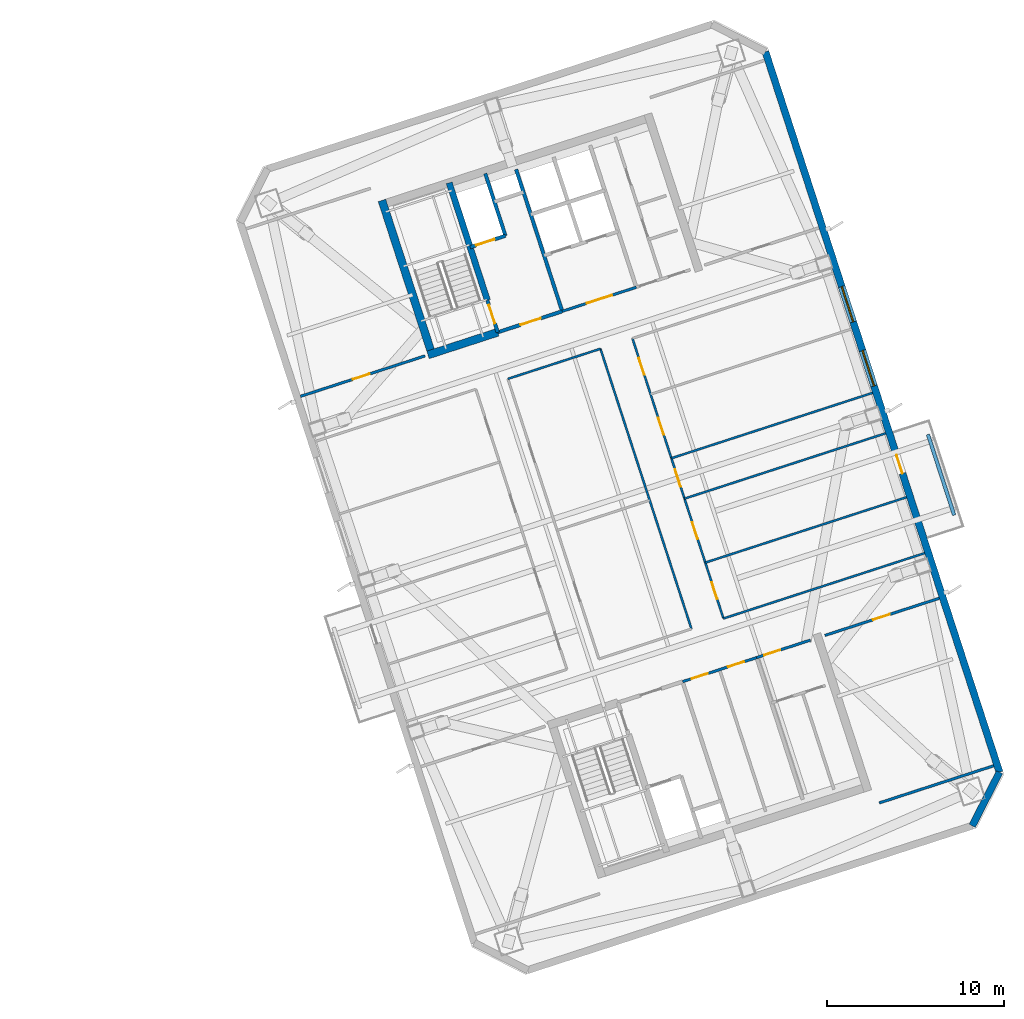
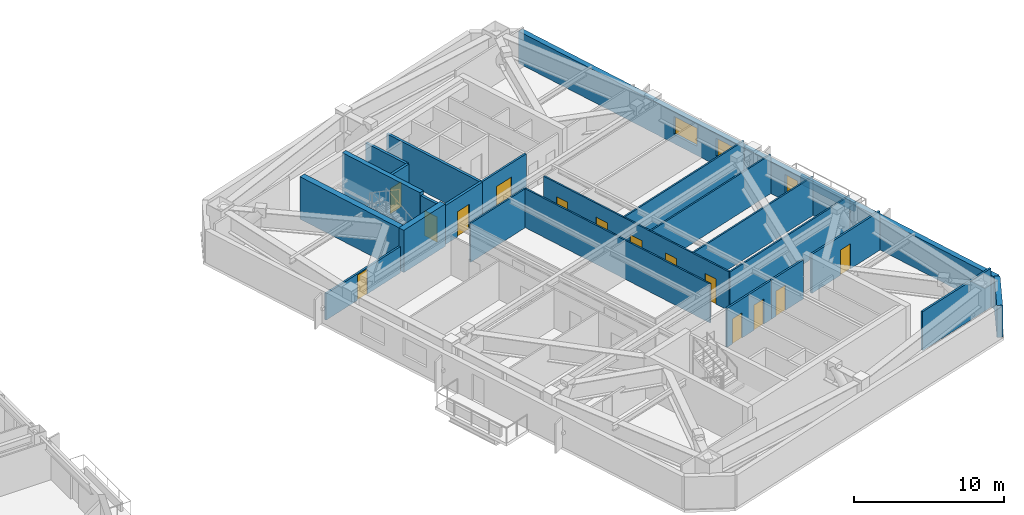
# One storey, part 10 of 18: 24 walls, 15 doors, 2 windows, 17 openings.
"""IFC4 building model written with IfcOpenShell, lengths in metres."""

from ifc_helpers import new_model, si_unit, direction, frame, frame_2d, origin, place, context, subcontext, project, spatial, rectangle, extrude, material, layer, layer_set, type_object, element, fill, save


model = new_model("IFC4")

# Units and contexts
model_context = context("Model", 3, precision=1e-05, world=origin(), true_north=direction((0.0, 1.0)))
body_context = subcontext(model_context, "Body", "Model", "MODEL_VIEW")
ifc_project = project(units=[si_unit("LENGTHUNIT", "METRE"), si_unit("AREAUNIT", "SQUARE_METRE"), si_unit("VOLUMEUNIT", "CUBIC_METRE"), si_unit("PLANEANGLEUNIT", "RADIAN"), si_unit("MASSUNIT", "GRAM", prefix="KILO")], contexts=[model_context])

# Site, building, storey
site_placement = place(None, origin())
site = spatial("IfcSite", under=ifc_project, at=site_placement, CompositionType="ELEMENT")
building_placement = place(site_placement, origin())
building = spatial("IfcBuilding", under=site, at=building_placement, Name="Qiaolan Cultural Towers", CompositionType="ELEMENT")
storey_placement = place(building_placement, frame((0.0, 0.0, 195.5)))
storey = spatial("IfcBuildingStorey", under=building, at=storey_placement, Name="L52", CompositionType="ELEMENT", Elevation=195.5)

# Walls
ifc_material_1 = material(Name="Concrete C50", Category="concrete")
ifc_layer_1 = layer(ifc_material_1, 0.35009765625)
ifc_layer_set_1 = layer_set([ifc_layer_1], Name="Concrete C50")
wall_type_1 = type_object("IfcWallType", Name="WL-CORE-350", PredefinedType="SHEAR", material=ifc_layer_set_1)
wall_1_placement = place(storey_placement, frame((82.513671875, 45.13134765625, 0.0), z_axis=(0.0, 0.0, 1.0), x_axis=(-0.308988790936, 0.951065679686, 0.0)))
element("IfcWall", 1, at=wall_1_placement, inside=storey, type_object=wall_type_1, Name="L52 T2-CN Stair Core Dividing Web", PredefinedType="SHEAR", context=body_context, shape_type="SweptSolid", body=[
    extrude(rectangle(XDim=6.97998046875, YDim=0.35009765625, at=frame_2d((3.489990234375, 0.0))), origin(), (0.0, 0.0, 1.0), 3.449951171875),
])
ifc_material_2 = material(Name="Concrete C50", Category="concrete")
ifc_layer_2 = layer(ifc_material_2, 0.449951171875)
ifc_layer_set_2 = layer_set([ifc_layer_2], Name="Concrete C50")
wall_type_2 = type_object("IfcWallType", Name="WL-CORE-450", PredefinedType="SHEAR", material=ifc_layer_set_2)
wall_2_placement = place(storey_placement, frame((79.4423828125, 41.899169921875, 0.0), z_axis=(0.0, 0.0, 1.0), x_axis=(-0.309035778627, 0.951050412717, 0.0)))
element("IfcWall", 2, at=wall_2_placement, inside=storey, type_object=wall_type_2, Name="L52 T2-CN West Core Shear Wall", PredefinedType="SHEAR", context=body_context, shape_type="SweptSolid", body=[
    extrude(rectangle(XDim=9.330078125, YDim=0.449951171875, at=frame_2d((4.6650390625, 0.0))), origin(), (0.0, 0.0, 1.0), 3.449951171875),
])
wall_3_placement = place(storey_placement, frame((79.15869140625, 42.04345703125, 0.0), z_axis=(0.0, 0.0, 1.0), x_axis=(0.951047485828, 0.309044785913, 0.0)))
element("IfcWall", 3, at=wall_3_placement, inside=storey, type_object=wall_type_2, Name="L52 T2-CN Stair Front Shear Wall", PredefinedType="SHEAR", context=body_context, shape_type="SweptSolid", body=[
    extrude(rectangle(XDim=4.14501953125, YDim=0.449951171875, at=frame_2d((2.072509765625, 0.0))), origin(), (0.0, 0.0, 1.0), 3.449951171875),
])

# Wall, openings, door, windows
ifc_material_3 = material(Name="Precast Concrete C50 Honed Stone Pier", Category="masonry")
ifc_layer_3 = layer(ifc_material_3, 0.39990234375)
ifc_layer_set_3 = layer_set([ifc_layer_3], Name="Precast Concrete C50 Honed Stone Pier")
wall_type_3 = type_object("IfcWallType", Name="WL-EXT-PIER-400", PredefinedType="SOLIDWALL", material=ifc_layer_set_3)
wall_4_placement = place(storey_placement, frame((98.2236328125, 59.17333984375, 0.0), z_axis=(0.0, 0.0, 1.0), x_axis=(0.309014228706, -0.951057414911, 0.0)))
wall_4 = element("IfcWall", 4, at=wall_4_placement, inside=storey, type_object=wall_type_3, Name="L52 East Tower Precast Pier Facade Wall F5", PredefinedType="SOLIDWALL", context=body_context, shape_type="SweptSolid", body=[
    extrude(rectangle(XDim=42.800048828125, YDim=0.39990234375, at=frame_2d((21.39990234375, 0.0))), origin(), (0.0, 0.0, 1.0), 2.610107421875),
])
opening_1_placement = place(wall_4_placement, frame((17.75, 0.0, 0.75)))
opening_1 = element("IfcOpeningElement", 5, at=opening_1_placement, cuts=wall_4, Name="Opening W-05", PredefinedType="OPENING", context=body_context, shape_type="SweptSolid", body=[
    extrude(rectangle(XDim=2.10009765625, YDim=1.4599609375, at=frame_2d((1.050048828125, 0.72998046875))), frame((0.0, 0.2099609375, 0.0), z_axis=(0.0, -1.0, 0.0), x_axis=(1.0, 0.0, 0.0)), (0.0, 0.0, 1.0), 0.419921875),
])
opening_2_placement = place(wall_4_placement, frame((13.949951171875, 0.0, 0.75)))
opening_2 = element("IfcOpeningElement", 6, at=opening_2_placement, cuts=wall_4, Name="Opening W-05", PredefinedType="OPENING", context=body_context, shape_type="SweptSolid", body=[
    extrude(rectangle(XDim=2.10009765625, YDim=1.4599609375, at=frame_2d((1.050048828125, 0.72998046875))), frame((0.0, 0.2099609375, 0.0), z_axis=(0.0, -1.0, 0.0), x_axis=(1.0, 0.0, 0.0)), (0.0, 0.0, 1.0), 0.419921875),
])
opening_3_placement = place(wall_4_placement, frame((23.949951171875, 0.0, 0.0)))
opening_3 = element("IfcOpeningElement", 7, at=opening_3_placement, cuts=wall_4, Name="Opening BD-01", PredefinedType="OPENING", context=body_context, shape_type="SweptSolid", body=[
    extrude(rectangle(XDim=1.10009765625, YDim=2.14990234375, at=frame_2d((0.550048828125, 1.074951171875))), frame((0.0, 0.2099609375, 0.0), z_axis=(0.0, -1.0, 0.0), x_axis=(1.0, 0.0, 0.0)), (0.0, 0.0, 1.0), 0.419921875),
])
ifc_material_4 = material(Name="Thermally Broken Aluminium Glazed Terrace Door", Category="aluminium")
door_type_1 = type_object("IfcDoorType", Name="DR-BAL-1100", OperationType="NOTDEFINED", PredefinedType="DOOR", material=ifc_material_4)
door_1_placement = place(opening_3_placement, origin())
door_1 = element("IfcDoor", 8, at=door_1_placement, inside=storey, type_object=door_type_1, Name="L52 T2 East Tree Balcony Door", OperationType="SINGLE_SWING_RIGHT", OverallHeight=2.14990234375, OverallWidth=1.10009765625, PredefinedType="DOOR", context=body_context, shape_type="SweptSolid", body=[
    extrude(rectangle(XDim=1.10009765625, YDim=2.14990234375, at=frame_2d((0.550048828125, 1.074951171875))), frame((0.0, 0.02490234375, 0.0), z_axis=(0.0, -1.0, 0.0), x_axis=(1.0, 0.0, 0.0)), (0.0, 0.0, 1.0), 0.050048828125),
])
fill(opening_3, door_1)
ifc_material_5 = material(Name="Thermally Broken Aluminium Triple Low-E Glazing", Category="aluminium")
window_type = type_object("IfcWindowType", Name="WN-CHIC-2100", PartitioningType="SINGLE_PANEL", PredefinedType="WINDOW", material=ifc_material_5)
window_1_placement = place(opening_1_placement, origin())
window_1 = element("IfcWindow", 9, at=window_1_placement, inside=storey, type_object=window_type, Name="L52 T2 E Chicago Bay Window 1", OverallHeight=1.4599609375, OverallWidth=2.10009765625, PartitioningType="TRIPLE_PANEL_VERTICAL", PredefinedType="WINDOW", context=body_context, shape_type="SweptSolid", body=[
    extrude(rectangle(XDim=2.10009765625, YDim=1.4599609375, at=frame_2d((1.050048828125, 0.72998046875))), frame((0.0, 0.030029296875, 0.0), z_axis=(0.0, -1.0, 0.0), x_axis=(1.0, 0.0, 0.0)), (0.0, 0.0, 1.0), 0.06005859375),
])
fill(opening_1, window_1)
window_2_placement = place(opening_2_placement, origin())
window_2 = element("IfcWindow", 10, at=window_2_placement, inside=storey, type_object=window_type, Name="L52 T2 E Chicago Bay Window 2", OverallHeight=1.4599609375, OverallWidth=2.10009765625, PartitioningType="TRIPLE_PANEL_VERTICAL", PredefinedType="WINDOW", context=body_context, shape_type="SweptSolid", body=[
    extrude(rectangle(XDim=2.10009765625, YDim=1.4599609375, at=frame_2d((1.050048828125, 0.72998046875))), frame((0.0, 0.030029296875, 0.0), z_axis=(0.0, -1.0, 0.0), x_axis=(1.0, 0.0, 0.0)), (0.0, 0.0, 1.0), 0.06005859375),
])
fill(opening_2, window_2)

# Wall
wall_5_placement = place(storey_placement, frame((111.449462890625, 18.468017578125, 0.0), z_axis=(0.0, 0.0, 1.0), x_axis=(-0.454019523198, -0.890991735402, 0.0)))
element("IfcWall", 11, at=wall_5_placement, inside=storey, type_object=wall_type_3, Name="L52 East Tower Precast Pier Facade Wall F6", PredefinedType="SOLIDWALL", context=body_context, shape_type="SweptSolid", body=[
    extrude(rectangle(XDim=3.39404296875, YDim=0.39990234375, at=frame_2d((1.697021484375, 0.0))), origin(), (0.0, 0.0, 1.0), 2.610107421875),
])

# Wall, opening, door
ifc_material_6 = material(Name="Concrete C35 Fire Wall", Category="concrete")
ifc_layer_4 = layer(ifc_material_6, 0.199951171875)
ifc_layer_set_4 = layer_set([ifc_layer_4], Name="Concrete C35 Fire Wall")
wall_type_4 = type_object("IfcWallType", Name="WL-FIRE-200", PredefinedType="PARTITIONING", material=ifc_layer_set_4)
wall_6_placement = place(storey_placement, frame((83.100830078125, 43.324462890625, 0.0), z_axis=(0.0, 0.0, 1.0), x_axis=(-0.309048298632, 0.951046344356, 0.0)))
wall_6 = element("IfcWall", 12, at=wall_6_placement, inside=storey, type_object=wall_type_4, Name="L52 T2-CN Smokeproof Stair Entry Wall", PredefinedType="PARTITIONING", context=body_context, shape_type="SweptSolid", body=[
    extrude(rectangle(XDim=1.89990234375, YDim=0.199951171875, at=frame_2d((0.949951171875, 0.0))), origin(), (0.0, 0.0, 1.0), 3.175048828125),
])
opening_4_placement = place(wall_6_placement, frame((0.52001953125, 0.0, 0.0)))
opening_4 = element("IfcOpeningElement", 13, at=opening_4_placement, cuts=wall_6, Name="Opening FD-04", PredefinedType="OPENING", context=body_context, shape_type="SweptSolid", body=[
    extrude(rectangle(XDim=1.10009765625, YDim=2.050048828125, at=frame_2d((0.550048828125, 1.02490234375))), frame((0.0, 0.10986328125, 0.0), z_axis=(0.0, -1.0, 0.0), x_axis=(1.0, 0.0, 0.0)), (0.0, 0.0, 1.0), 0.219970703125),
])
ifc_material_7 = material(Name="Galvanized Steel Command Fire Door", Category="steel")
door_type_2 = type_object("IfcDoorType", Name="DR-FD90-1100", OperationType="NOTDEFINED", PredefinedType="DOOR", material=ifc_material_7)
door_2_placement = place(opening_4_placement, origin())
door_2 = element("IfcDoor", 14, at=door_2_placement, inside=storey, type_object=door_type_2, Name="L52 ST-E2 Smokeproof Stair Fire Door", OperationType="SINGLE_SWING_LEFT", OverallHeight=2.050048828125, OverallWidth=1.10009765625, PredefinedType="DOOR", context=body_context, shape_type="SweptSolid", body=[
    extrude(rectangle(XDim=1.10009765625, YDim=2.050048828125, at=frame_2d((0.550048828125, 1.02490234375))), frame((0.0, 0.02490234375, 0.0), z_axis=(0.0, -1.0, 0.0), x_axis=(1.0, 0.0, 0.0)), (0.0, 0.0, 1.0), 0.050048828125),
])
fill(opening_4, door_2)

# Wall
wall_7_placement = place(storey_placement, frame((86.743408203125, 44.508056640625, 0.0), z_axis=(0.0, 0.0, 1.0), x_axis=(-0.309016001439, 0.951056838919, 0.0)))
element("IfcWall", 15, at=wall_7_placement, inside=storey, type_object=wall_type_4, Name="L52 T2-CN Firefighting Zone Wall", PredefinedType="PARTITIONING", context=body_context, shape_type="SweptSolid", body=[
    extrude(rectangle(XDim=8.429931640625, YDim=0.199951171875, at=frame_2d((4.21484375, 0.0))), origin(), (0.0, 0.0, 1.0), 3.175048828125),
])

# Wall, opening, door
wall_8_placement = place(storey_placement, frame((83.100830078125, 43.324462890625, 0.0), z_axis=(0.0, 0.0, 1.0), x_axis=(0.951052804469, 0.309028417967, 0.0)))
wall_8 = element("IfcWall", 16, at=wall_8_placement, inside=storey, type_object=wall_type_4, Name="L52 T2-CN Firefighting Lobby Front Wall", PredefinedType="PARTITIONING", context=body_context, shape_type="SweptSolid", body=[
    extrude(rectangle(XDim=3.830078125, YDim=0.199951171875, at=frame_2d((1.9150390625, 0.0))), origin(), (0.0, 0.0, 1.0), 3.175048828125),
])
opening_5_placement = place(wall_8_placement, frame((1.35009765625, 0.0, 0.0)))
opening_5 = element("IfcOpeningElement", 17, at=opening_5_placement, cuts=wall_8, Name="Opening FD-03", PredefinedType="OPENING", context=body_context, shape_type="SweptSolid", body=[
    extrude(rectangle(XDim=1.199951171875, YDim=2.050048828125, at=frame_2d((0.60009765625, 1.02490234375))), frame((0.0, 0.10986328125, 0.0), z_axis=(0.0, -1.0, 0.0), x_axis=(1.0, 0.0, 0.0)), (0.0, 0.0, 1.0), 0.219970703125),
])
ifc_material_8 = material(Name="Galvanized Steel Smokeproof Lobby Fire Door", Category="steel")
door_type_3 = type_object("IfcDoorType", Name="DR-FD90-1200", OperationType="NOTDEFINED", PredefinedType="DOOR", material=ifc_material_8)
door_3_placement = place(opening_5_placement, origin())
door_3 = element("IfcDoor", 18, at=door_3_placement, inside=storey, type_object=door_type_3, Name="L52 FFL-E2 Firefighting Lobby Fire Door", OperationType="SINGLE_SWING_LEFT", OverallHeight=2.050048828125, OverallWidth=1.199951171875, PredefinedType="DOOR", context=body_context, shape_type="SweptSolid", body=[
    extrude(rectangle(XDim=1.199951171875, YDim=2.050048828125, at=frame_2d((0.60009765625, 1.02490234375))), frame((0.0, 0.02490234375, 0.0), z_axis=(0.0, -1.0, 0.0), x_axis=(1.0, 0.0, 0.0)), (0.0, 0.0, 1.0), 0.050048828125),
])
fill(opening_5, door_3)

wall_9_placement = place(storey_placement, frame((81.540283203125, 48.127197265625, 0.0), z_axis=(0.0, 0.0, 1.0), x_axis=(0.951062257173, 0.308999325213, 0.0)))
wall_9 = element("IfcWall", 19, at=wall_9_placement, inside=storey, type_object=wall_type_4, Name="L52 T2-CN Firefighting Shaft Front Wall", PredefinedType="PARTITIONING", context=body_context, shape_type="SweptSolid", body=[
    extrude(rectangle(XDim=2.10009765625, YDim=0.199951171875, at=frame_2d((1.050048828125, 0.0))), origin(), (0.0, 0.0, 1.0), 3.175048828125),
])
opening_6_placement = place(wall_9_placement, frame((0.35009765625, 0.0, 0.0)))
opening_6 = element("IfcOpeningElement", 20, at=opening_6_placement, cuts=wall_9, Name="Opening LD-01", PredefinedType="OPENING", context=body_context, shape_type="SweptSolid", body=[
    extrude(rectangle(XDim=1.10009765625, YDim=2.050048828125, at=frame_2d((0.550048828125, 1.02490234375))), frame((0.0, 0.10986328125, 0.0), z_axis=(0.0, -1.0, 0.0), x_axis=(1.0, 0.0, 0.0)), (0.0, 0.0, 1.0), 0.219970703125),
])
ifc_material_9 = material(Name="Brushed Stainless Steel S30408 Centre-Parting Lift Landing Door", Category="steel")
door_type_4 = type_object("IfcDoorType", Name="DR-LIFT-1100", OperationType="NOTDEFINED", PredefinedType="DOOR", material=ifc_material_9)
door_4_placement = place(opening_6_placement, origin())
door_4 = element("IfcDoor", 21, at=door_4_placement, inside=storey, type_object=door_type_4, Name="L52 FFL-E2 Firefighting Lift Landing Door", OperationType="DOUBLE_DOOR_SLIDING", OverallHeight=2.050048828125, OverallWidth=1.10009765625, PredefinedType="DOOR", context=body_context, shape_type="SweptSolid", body=[
    extrude(rectangle(XDim=1.10009765625, YDim=2.050048828125, at=frame_2d((0.550048828125, 1.02490234375))), frame((0.0, 0.02490234375, 0.0), z_axis=(0.0, -1.0, 0.0), x_axis=(1.0, 0.0, 0.0)), (0.0, 0.0, 1.0), 0.050048828125),
])
fill(opening_6, door_4)

# Walls
wall_10_placement = place(storey_placement, frame((83.53759765625, 48.776123046875, 0.0), z_axis=(0.0, 0.0, 1.0), x_axis=(-0.3089935693, 0.951064127245, 0.0)))
element("IfcWall", 22, at=wall_10_placement, inside=storey, type_object=wall_type_4, Name="L52 T2-CN Firefighting Hoistway East Wall", PredefinedType="PARTITIONING", context=body_context, shape_type="SweptSolid", body=[
    extrude(rectangle(XDim=3.7001953125, YDim=0.199951171875, at=frame_2d((1.85009765625, 0.0))), origin(), (0.0, 0.0, 1.0), 3.175048828125),
])
ifc_material_10 = material(Name="Gypsum Stud Acoustic Partition", Category="gypsum")
ifc_layer_5 = layer(ifc_material_10, 0.1201171875)
ifc_layer_set_5 = layer_set([ifc_layer_5], Name="Gypsum Stud Acoustic Partition")
wall_type_5 = type_object("IfcWallType", Name="WL-PART-120", PredefinedType="PARTITIONING", material=ifc_layer_set_5)
wall_11_placement = place(storey_placement, frame((95.85205078125, 27.1533203125, 0.0), z_axis=(0.0, 0.0, 1.0), x_axis=(0.951054485045, 0.30902324585, 0.0)))
element("IfcWall", 23, at=wall_11_placement, inside=storey, type_object=wall_type_5, Name="L52 T2 Interior Wall", PredefinedType="PARTITIONING", context=body_context, shape_type="SweptSolid", body=[
    extrude(rectangle(XDim=11.9501953125, YDim=0.1201171875, at=frame_2d((5.97509765625, 0.0))), origin(), (0.0, 0.0, 1.0), 3.175048828125),
])
wall_12_placement = place(storey_placement, frame((83.67236328125, 40.692138671875, 0.0), z_axis=(0.0, 0.0, 1.0), x_axis=(0.951048747115, 0.30904090443, 0.0)))
element("IfcWall", 24, at=wall_12_placement, inside=storey, type_object=wall_type_5, Name="L52 T2 Interior Wall", PredefinedType="PARTITIONING", context=body_context, shape_type="SweptSolid", body=[
    extrude(rectangle(XDim=5.5, YDim=0.1201171875, at=frame_2d((2.75, 0.0))), origin(), (0.0, 0.0, 1.0), 3.175048828125),
])
wall_13_placement = place(storey_placement, frame((94.045166015625, 26.566162109375, 0.0), z_axis=(0.0, 0.0, 1.0), x_axis=(-0.30901773025, 0.951056277195, 0.0)))
element("IfcWall", 25, at=wall_13_placement, inside=storey, type_object=wall_type_5, Name="L52 T2 Interior Wall", PredefinedType="PARTITIONING", context=body_context, shape_type="SweptSolid", body=[
    extrude(rectangle(XDim=16.64013671875, YDim=0.1201171875, at=frame_2d((8.320068359375, 0.0))), origin(), (0.0, 0.0, 1.0), 3.175048828125),
])

# Wall, openings, doors
wall_14_placement = place(storey_placement, frame((95.85205078125, 27.1533203125, 0.0), z_axis=(0.0, 0.0, 1.0), x_axis=(-0.309004459387, 0.951060589068, 0.0)))
wall_14 = element("IfcWall", 26, at=wall_14_placement, inside=storey, type_object=wall_type_5, Name="L52 T2 Interior Wall", PredefinedType="PARTITIONING", context=body_context, shape_type="SweptSolid", body=[
    extrude(rectangle(XDim=16.64013671875, YDim=0.1201171875, at=frame_2d((8.320068359375, 0.0))), origin(), (0.0, 0.0, 1.0), 3.175048828125),
])
opening_7_placement = place(wall_14_placement, frame((1.159912109375, 0.0, 0.0)))
opening_7 = element("IfcOpeningElement", 27, at=opening_7_placement, cuts=wall_14, Name="Opening ID-04", PredefinedType="OPENING", context=body_context, shape_type="SweptSolid", body=[
    extrude(rectangle(XDim=1.0, YDim=2.050048828125, at=frame_2d((0.5, 1.02490234375))), frame((0.0, 0.070068359375, 0.0), z_axis=(0.0, -1.0, 0.0), x_axis=(1.0, 0.0, 0.0)), (0.0, 0.0, 1.0), 0.14013671875),
])
opening_8_placement = place(wall_14_placement, frame((4.719970703125, 0.0, 0.0)))
opening_8 = element("IfcOpeningElement", 28, at=opening_8_placement, cuts=wall_14, Name="Opening ID-04", PredefinedType="OPENING", context=body_context, shape_type="SweptSolid", body=[
    extrude(rectangle(XDim=1.0, YDim=2.050048828125, at=frame_2d((0.5, 1.02490234375))), frame((0.0, 0.070068359375, 0.0), z_axis=(0.0, -1.0, 0.0), x_axis=(1.0, 0.0, 0.0)), (0.0, 0.0, 1.0), 0.14013671875),
])
opening_9_placement = place(wall_14_placement, frame((7.820068359375, 0.0, 0.0)))
opening_9 = element("IfcOpeningElement", 29, at=opening_9_placement, cuts=wall_14, Name="Opening ID-07", PredefinedType="OPENING", context=body_context, shape_type="SweptSolid", body=[
    extrude(rectangle(XDim=1.050048828125, YDim=2.050048828125, at=frame_2d((0.52490234375, 1.02490234375))), frame((0.0, 0.070068359375, 0.0), z_axis=(0.0, -1.0, 0.0), x_axis=(1.0, 0.0, 0.0)), (0.0, 0.0, 1.0), 0.14013671875),
])
opening_10_placement = place(wall_14_placement, frame((10.919921875, 0.0, 0.0)))
opening_10 = element("IfcOpeningElement", 30, at=opening_10_placement, cuts=wall_14, Name="Opening ID-04", PredefinedType="OPENING", context=body_context, shape_type="SweptSolid", body=[
    extrude(rectangle(XDim=1.0, YDim=2.050048828125, at=frame_2d((0.5, 1.02490234375))), frame((0.0, 0.070068359375, 0.0), z_axis=(0.0, -1.0, 0.0), x_axis=(1.0, 0.0, 0.0)), (0.0, 0.0, 1.0), 0.14013671875),
])
opening_11_placement = place(wall_14_placement, frame((14.47998046875, 0.0, 0.0)))
opening_11 = element("IfcOpeningElement", 31, at=opening_11_placement, cuts=wall_14, Name="Opening ID-04", PredefinedType="OPENING", context=body_context, shape_type="SweptSolid", body=[
    extrude(rectangle(XDim=1.0, YDim=2.050048828125, at=frame_2d((0.5, 1.02490234375))), frame((0.0, 0.070068359375, 0.0), z_axis=(0.0, -1.0, 0.0), x_axis=(1.0, 0.0, 0.0)), (0.0, 0.0, 1.0), 0.14013671875),
])
ifc_material_11 = material(Name="Oak Veneer Acoustic Office Door", Category="timber")
door_type_5 = type_object("IfcDoorType", Name="DR-INT-1000", OperationType="NOTDEFINED", PredefinedType="DOOR", material=ifc_material_11)
door_5_placement = place(opening_7_placement, origin())
door_5 = element("IfcDoor", 32, at=door_5_placement, inside=storey, type_object=door_type_5, Name="L52 T2 Legal Library Salon Door", OperationType="SINGLE_SWING_RIGHT", OverallHeight=2.050048828125, OverallWidth=1.0, PredefinedType="DOOR", context=body_context, shape_type="SweptSolid", body=[
    extrude(rectangle(XDim=1.0, YDim=2.050048828125, at=frame_2d((0.5, 1.02490234375))), frame((0.0, 0.02490234375, 0.0), z_axis=(0.0, -1.0, 0.0), x_axis=(1.0, 0.0, 0.0)), (0.0, 0.0, 1.0), 0.050048828125),
])
fill(opening_7, door_5)
door_6_placement = place(opening_8_placement, origin())
door_6 = element("IfcDoor", 33, at=door_6_placement, inside=storey, type_object=door_type_5, Name="L52 T2 Client Hospitality Kitchen Door", OperationType="SINGLE_SWING_LEFT", OverallHeight=2.050048828125, OverallWidth=1.0, PredefinedType="DOOR", context=body_context, shape_type="SweptSolid", body=[
    extrude(rectangle(XDim=1.0, YDim=2.050048828125, at=frame_2d((0.5, 1.02490234375))), frame((0.0, 0.02490234375, 0.0), z_axis=(0.0, -1.0, 0.0), x_axis=(1.0, 0.0, 0.0)), (0.0, 0.0, 1.0), 0.050048828125),
])
fill(opening_8, door_6)
door_7_placement = place(opening_10_placement, origin())
door_7 = element("IfcDoor", 34, at=door_7_placement, inside=storey, type_object=door_type_5, Name="L52 T2 Counsel Lounge Door", OperationType="SINGLE_SWING_LEFT", OverallHeight=2.050048828125, OverallWidth=1.0, PredefinedType="DOOR", context=body_context, shape_type="SweptSolid", body=[
    extrude(rectangle(XDim=1.0, YDim=2.050048828125, at=frame_2d((0.5, 1.02490234375))), frame((0.0, 0.02490234375, 0.0), z_axis=(0.0, -1.0, 0.0), x_axis=(1.0, 0.0, 0.0)), (0.0, 0.0, 1.0), 0.050048828125),
])
fill(opening_10, door_7)
door_8_placement = place(opening_11_placement, origin())
door_8 = element("IfcDoor", 35, at=door_8_placement, inside=storey, type_object=door_type_5, Name="L52 T2 First-Aid Care Room Door", OperationType="SINGLE_SWING_RIGHT", OverallHeight=2.050048828125, OverallWidth=1.0, PredefinedType="DOOR", context=body_context, shape_type="SweptSolid", body=[
    extrude(rectangle(XDim=1.0, YDim=2.050048828125, at=frame_2d((0.5, 1.02490234375))), frame((0.0, 0.02490234375, 0.0), z_axis=(0.0, -1.0, 0.0), x_axis=(1.0, 0.0, 0.0)), (0.0, 0.0, 1.0), 0.050048828125),
])
fill(opening_11, door_8)
ifc_material_12 = material(Name="Oak Veneer Consultation Door", Category="timber")
door_type_6 = type_object("IfcDoorType", Name="DR-INT-1050", OperationType="NOTDEFINED", PredefinedType="DOOR", material=ifc_material_12)
door_9_placement = place(opening_9_placement, origin())
door_9 = element("IfcDoor", 36, at=door_9_placement, inside=storey, type_object=door_type_6, Name="L52 T2 Client Hospitality Kitchen Door", OperationType="SINGLE_SWING_RIGHT", OverallHeight=2.050048828125, OverallWidth=1.050048828125, PredefinedType="DOOR", context=body_context, shape_type="SweptSolid", body=[
    extrude(rectangle(XDim=1.050048828125, YDim=2.050048828125, at=frame_2d((0.52490234375, 1.02490234375))), frame((0.0, 0.02490234375, 0.0), z_axis=(0.0, -1.0, 0.0), x_axis=(1.0, 0.0, 0.0)), (0.0, 0.0, 1.0), 0.050048828125),
])
fill(opening_9, door_9)

# Walls
for number, where, z_axis, x_axis, name in (
    (37, (94.826171875, 30.310791015625, 0.0), (0.0, 0.0, 1.0), (0.951054485045, 0.30902324585, 0.0), "L52 T2 Interior Wall"),
    (38, (93.65185546875, 33.9248046875, 0.0), (0.0, 0.0, 1.0), (0.951054485045, 0.30902324585, 0.0), "L52 T2 Interior Wall"),
):
    element("IfcWall", number, at=place(storey_placement, frame(where, z_axis=z_axis, x_axis=x_axis)), inside=storey, type_object=wall_type_5, Name=name, PredefinedType="PARTITIONING", context=body_context, shape_type="SweptSolid", body=[
        extrude(rectangle(XDim=11.9501953125, YDim=0.1201171875, at=frame_2d((5.97509765625, 0.0))), origin(), (0.0, 0.0, 1.0), 3.175048828125),
    ])
wall_15_placement = place(storey_placement, frame((92.910400390625, 36.207275390625, 0.0), z_axis=(0.0, 0.0, 1.0), x_axis=(0.951052534024, 0.309029250277, 0.0)))
element("IfcWall", 39, at=wall_15_placement, inside=storey, type_object=wall_type_5, Name="L52 T2 Interior Wall", PredefinedType="PARTITIONING", context=body_context, shape_type="SweptSolid", body=[
    extrude(rectangle(XDim=11.949951171875, YDim=0.1201171875, at=frame_2d((5.97509765625, 0.0))), origin(), (0.0, 0.0, 1.0), 3.175048828125),
])

# Wall, openings, doors
ifc_material_13 = material(Name="Autoclaved Aerated Concrete Block B06", Category="concrete")
ifc_layer_6 = layer(ifc_material_13, 0.14990234375)
ifc_layer_set_6 = layer_set([ifc_layer_6], Name="Autoclaved Aerated Concrete Block B06")
wall_type_6 = type_object("IfcWallType", Name="WL-PART-150", PredefinedType="PARTITIONING", material=ifc_layer_set_6)
wall_16_placement = place(storey_placement, frame((93.541748046875, 23.584716796875, 0.0), z_axis=(0.0, 0.0, 1.0), x_axis=(0.951063829732, 0.308994485023, 0.0)))
wall_16 = element("IfcWall", 40, at=wall_16_placement, inside=storey, type_object=wall_type_6, Name="L52 T2-CS Reclaimed Core Room Front Wall", PredefinedType="PARTITIONING", context=body_context, shape_type="SweptSolid", body=[
    extrude(rectangle(XDim=4.400146484375, YDim=0.14990234375, at=frame_2d((2.2001953125, 0.0))), origin(), (0.0, 0.0, 1.0), 3.175048828125),
])
opening_12_placement = place(wall_16_placement, frame((0.550048828125, 0.0, 0.0)))
opening_12 = element("IfcOpeningElement", 41, at=opening_12_placement, cuts=wall_16, Name="Opening ID-05", PredefinedType="OPENING", context=body_context, shape_type="SweptSolid", body=[
    extrude(rectangle(XDim=0.949951171875, YDim=2.050048828125, at=frame_2d((0.47509765625, 1.02490234375))), frame((0.0, 0.0849609375, 0.0), z_axis=(0.0, -1.0, 0.0), x_axis=(1.0, 0.0, 0.0)), (0.0, 0.0, 1.0), 0.169921875),
])
opening_13_placement = place(wall_16_placement, frame((2.699951171875, 0.0, 0.0)))
opening_13 = element("IfcOpeningElement", 42, at=opening_13_placement, cuts=wall_16, Name="Opening ID-05", PredefinedType="OPENING", context=body_context, shape_type="SweptSolid", body=[
    extrude(rectangle(XDim=0.949951171875, YDim=2.050048828125, at=frame_2d((0.47509765625, 1.02490234375))), frame((0.0, 0.0849609375, 0.0), z_axis=(0.0, -1.0, 0.0), x_axis=(1.0, 0.0, 0.0)), (0.0, 0.0, 1.0), 0.169921875),
])
ifc_material_14 = material(Name="Fire-Rated Laminate Accessible Core Door", Category="timber")
door_type_7 = type_object("IfcDoorType", Name="DR-INT-950", OperationType="NOTDEFINED", PredefinedType="DOOR", material=ifc_material_14)
door_10_placement = place(opening_12_placement, origin())
door_10 = element("IfcDoor", 43, at=door_10_placement, inside=storey, type_object=door_type_7, Name="L52 Copy Print Room Door", OperationType="SINGLE_SWING_LEFT", OverallHeight=2.050048828125, OverallWidth=0.949951171875, PredefinedType="DOOR", context=body_context, shape_type="SweptSolid", body=[
    extrude(rectangle(XDim=0.949951171875, YDim=2.050048828125, at=frame_2d((0.47509765625, 1.02490234375))), frame((0.0, 0.02490234375, 0.0), z_axis=(0.0, -1.0, 0.0), x_axis=(1.0, 0.0, 0.0)), (0.0, 0.0, 1.0), 0.050048828125),
])
fill(opening_12, door_10)
door_11_placement = place(opening_13_placement, origin())
door_11 = element("IfcDoor", 44, at=door_11_placement, inside=storey, type_object=door_type_7, Name="L52 Tea Pantry Room Door", OperationType="SINGLE_SWING_RIGHT", OverallHeight=2.050048828125, OverallWidth=0.949951171875, PredefinedType="DOOR", context=body_context, shape_type="SweptSolid", body=[
    extrude(rectangle(XDim=0.949951171875, YDim=2.050048828125, at=frame_2d((0.47509765625, 1.02490234375))), frame((0.0, 0.02490234375, 0.0), z_axis=(0.0, -1.0, 0.0), x_axis=(1.0, 0.0, 0.0)), (0.0, 0.0, 1.0), 0.050048828125),
])
fill(opening_13, door_11)

# Wall, opening, door
wall_17_placement = place(storey_placement, frame((97.7265625, 24.9443359375, 0.0), z_axis=(0.0, 0.0, 1.0), x_axis=(0.951036872128, 0.309077446369, 0.0)))
wall_17 = element("IfcWall", 45, at=wall_17_placement, inside=storey, type_object=wall_type_6, Name="L52 T2-CS Sanitary Core Front Wall", PredefinedType="PARTITIONING", context=body_context, shape_type="SweptSolid", body=[
    extrude(rectangle(XDim=3.199951171875, YDim=0.14990234375, at=frame_2d((1.60009765625, 0.0))), origin(), (0.0, 0.0, 1.0), 3.175048828125),
])
opening_14_placement = place(wall_17_placement, frame((0.449951171875, 0.0, 0.0)))
opening_14 = element("IfcOpeningElement", 46, at=opening_14_placement, cuts=wall_17, Name="Opening ID-05", PredefinedType="OPENING", context=body_context, shape_type="SweptSolid", body=[
    extrude(rectangle(XDim=0.949951171875, YDim=2.050048828125, at=frame_2d((0.47509765625, 1.02490234375))), frame((0.0, 0.0849609375, 0.0), z_axis=(0.0, -1.0, 0.0), x_axis=(1.0, 0.0, 0.0)), (0.0, 0.0, 1.0), 0.169921875),
])
door_12_placement = place(opening_14_placement, origin())
door_12 = element("IfcDoor", 47, at=door_12_placement, inside=storey, type_object=door_type_7, Name="L52 Sanitary Vestibule Door", OperationType="SINGLE_SWING_LEFT", OverallHeight=2.050048828125, OverallWidth=0.949951171875, PredefinedType="DOOR", context=body_context, shape_type="SweptSolid", body=[
    extrude(rectangle(XDim=0.949951171875, YDim=2.050048828125, at=frame_2d((0.47509765625, 1.02490234375))), frame((0.0, 0.02490234375, 0.0), z_axis=(0.0, -1.0, 0.0), x_axis=(1.0, 0.0, 0.0)), (0.0, 0.0, 1.0), 0.050048828125),
])
fill(opening_14, door_12)

wall_18_placement = place(storey_placement, frame((86.743408203125, 44.508056640625, 0.0), z_axis=(0.0, 0.0, 1.0), x_axis=(0.951063829732, 0.308994485023, 0.0)))
wall_18 = element("IfcWall", 48, at=wall_18_placement, inside=storey, type_object=wall_type_6, Name="L52 T2-CN Passenger Lift Lobby Front Wall", PredefinedType="PARTITIONING", context=body_context, shape_type="SweptSolid", body=[
    extrude(rectangle(XDim=4.400146484375, YDim=0.14990234375, at=frame_2d((2.2001953125, 0.0))), origin(), (0.0, 0.0, 1.0), 3.175048828125),
])
opening_15_placement = place(wall_18_placement, frame((1.449951171875, 0.0, 0.0)))
opening_15 = element("IfcOpeningElement", 49, at=opening_15_placement, cuts=wall_18, Name="Opening FD-05", PredefinedType="OPENING", context=body_context, shape_type="SweptSolid", body=[
    extrude(rectangle(XDim=1.5, YDim=2.050048828125, at=frame_2d((0.75, 1.02490234375))), frame((0.0, 0.0849609375, 0.0), z_axis=(0.0, -1.0, 0.0), x_axis=(1.0, 0.0, 0.0)), (0.0, 0.0, 1.0), 0.169921875),
])
ifc_material_15 = material(Name="Painted Steel Lift Lobby Fire Door", Category="steel")
door_type_8 = type_object("IfcDoorType", Name="DR-FD60-1500", OperationType="NOTDEFINED", PredefinedType="DOOR", material=ifc_material_15)
door_13_placement = place(opening_15_placement, origin())
door_13 = element("IfcDoor", 50, at=door_13_placement, inside=storey, type_object=door_type_8, Name="L52 Passenger Lift Lobby Entrance", OperationType="SINGLE_SWING_LEFT", OverallHeight=2.050048828125, OverallWidth=1.5, PredefinedType="DOOR", context=body_context, shape_type="SweptSolid", body=[
    extrude(rectangle(XDim=1.5, YDim=2.050048828125, at=frame_2d((0.75, 1.02490234375))), frame((0.0, 0.02490234375, 0.0), z_axis=(0.0, -1.0, 0.0), x_axis=(1.0, 0.0, 0.0)), (0.0, 0.0, 1.0), 0.050048828125),
])
fill(opening_15, door_13)

# Wall
wall_19_placement = place(storey_placement, frame((104.653076171875, 16.73291015625, 0.0), z_axis=(0.0, 0.0, 1.0), x_axis=(0.951054383043, 0.309023559774, 0.0)))
element("IfcWall", 51, at=wall_19_placement, inside=storey, type_object=wall_type_6, Name="L52 T2 Flank Wall FLK-SE", PredefinedType="PARTITIONING", context=body_context, shape_type="SweptSolid", body=[
    extrude(rectangle(XDim=6.7998046875, YDim=0.14990234375, at=frame_2d((3.39990234375, 0.0))), origin(), (0.0, 0.0, 1.0), 3.175048828125),
])

# Wall, opening, door
wall_20_placement = place(storey_placement, frame((101.578369140625, 26.196044921875, 0.0), z_axis=(0.0, 0.0, 1.0), x_axis=(0.951064934653, 0.308991084134, 0.0)))
wall_20 = element("IfcWall", 52, at=wall_20_placement, inside=storey, type_object=wall_type_6, Name="L52 T2 Flank Front FLK-SE", PredefinedType="PARTITIONING", context=body_context, shape_type="SweptSolid", body=[
    extrude(rectangle(XDim=6.7998046875, YDim=0.14990234375, at=frame_2d((3.39990234375, 0.0))), origin(), (0.0, 0.0, 1.0), 3.175048828125),
])
opening_16_placement = place(wall_20_placement, frame((2.85595703125, 0.0, 0.0)))
opening_16 = element("IfcOpeningElement", 53, at=opening_16_placement, cuts=wall_20, Name="Opening ID-04", PredefinedType="OPENING", context=body_context, shape_type="SweptSolid", body=[
    extrude(rectangle(XDim=1.0, YDim=2.050048828125, at=frame_2d((0.5, 1.02490234375))), frame((0.0, 0.0849609375, 0.0), z_axis=(0.0, -1.0, 0.0), x_axis=(1.0, 0.0, 0.0)), (0.0, 0.0, 1.0), 0.169921875),
])
door_14_placement = place(opening_16_placement, origin())
door_14 = element("IfcDoor", 54, at=door_14_placement, inside=storey, type_object=door_type_5, Name="L52 T2 Corner Studio Door", OperationType="SINGLE_SWING_LEFT", OverallHeight=2.050048828125, OverallWidth=1.0, PredefinedType="DOOR", context=body_context, shape_type="SweptSolid", body=[
    extrude(rectangle(XDim=1.0, YDim=2.050048828125, at=frame_2d((0.5, 1.02490234375))), frame((0.0, 0.02490234375, 0.0), z_axis=(0.0, -1.0, 0.0), x_axis=(1.0, 0.0, 0.0)), (0.0, 0.0, 1.0), 0.050048828125),
])
fill(opening_16, door_14)

wall_21_placement = place(storey_placement, frame((71.95458984375, 39.702880859375, 0.0), z_axis=(0.0, 0.0, 1.0), x_axis=(0.951060977215, 0.309003264738, 0.0)))
wall_21 = element("IfcWall", 55, at=wall_21_placement, inside=storey, type_object=wall_type_6, Name="L52 T2 Flank Front FLK-NW", PredefinedType="PARTITIONING", context=body_context, shape_type="SweptSolid", body=[
    extrude(rectangle(XDim=7.39990234375, YDim=0.14990234375, at=frame_2d((3.699951171875, 0.0))), origin(), (0.0, 0.0, 1.0), 2.14990234375),
])
opening_17_placement = place(wall_21_placement, frame((3.10791015625, 0.0, 0.0)))
opening_17 = element("IfcOpeningElement", 56, at=opening_17_placement, cuts=wall_21, Name="Opening ID-04", PredefinedType="OPENING", context=body_context, shape_type="SweptSolid", body=[
    extrude(rectangle(XDim=1.0, YDim=2.050048828125, at=frame_2d((0.5, 1.02490234375))), frame((0.0, 0.0849609375, 0.0), z_axis=(0.0, -1.0, 0.0), x_axis=(1.0, 0.0, 0.0)), (0.0, 0.0, 1.0), 0.169921875),
])
door_15_placement = place(opening_17_placement, origin())
door_15 = element("IfcDoor", 57, at=door_15_placement, inside=storey, type_object=door_type_5, Name="L52 T2 Corner Studio Door", OperationType="SINGLE_SWING_LEFT", OverallHeight=2.050048828125, OverallWidth=1.0, PredefinedType="DOOR", context=body_context, shape_type="SweptSolid", body=[
    extrude(rectangle(XDim=1.0, YDim=2.050048828125, at=frame_2d((0.5, 1.02490234375))), frame((0.0, 0.02490234375, 0.0), z_axis=(0.0, -1.0, 0.0), x_axis=(1.0, 0.0, 0.0)), (0.0, 0.0, 1.0), 0.050048828125),
])
fill(opening_17, door_15)

# Wall
ifc_material_16 = material(Name="Precast Concrete C45 Tree Planter Upstand", Category="concrete")
ifc_layer_7 = layer(ifc_material_16, 0.199951171875)
ifc_layer_set_7 = layer_set([ifc_layer_7], Name="Precast Concrete C45 Tree Planter Upstand")
wall_type_7 = type_object("IfcWallType", Name="WL-PLANTER-200", PredefinedType="PARAPET", material=ifc_layer_set_7)
wall_22_placement = place(storey_placement, frame((108.887451171875, 32.987060546875, 0.0), z_axis=(0.0, 0.0, 1.0), x_axis=(-0.30900096172, 0.951061725471, 0.0)))
element("IfcWall", 58, at=wall_22_placement, inside=storey, type_object=wall_type_7, Name="L52 T2 Tree Balcony Soil Planter Box E", PredefinedType="PARAPET", context=body_context, shape_type="SweptSolid", body=[
    extrude(rectangle(XDim=4.7998046875, YDim=0.199951171875, at=frame_2d((2.39990234375, 0.0))), origin(), (0.0, 0.0, 1.0), 0.75),
])

save(model, "model.ifc")
